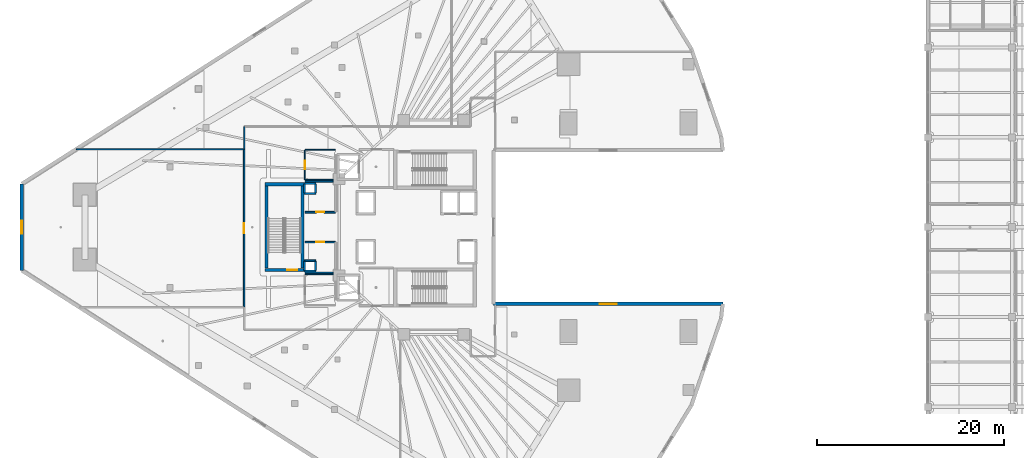
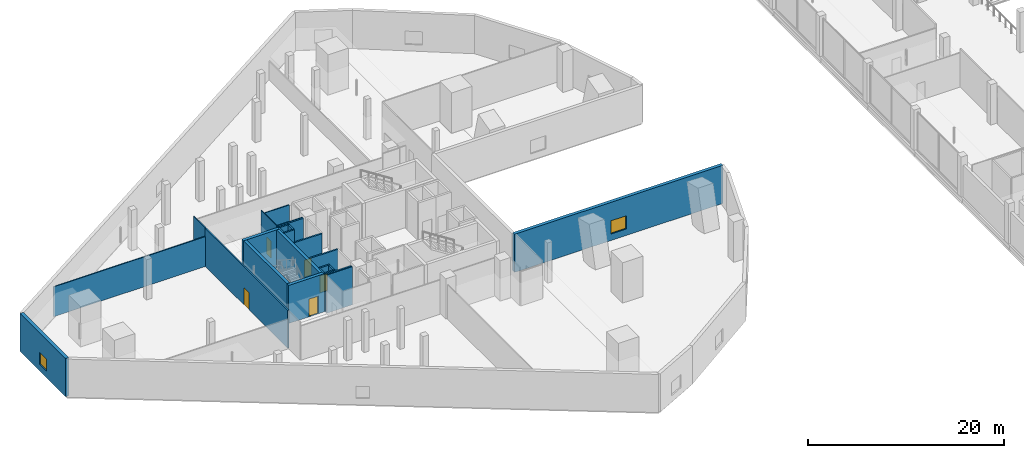
# One storey, part 27 of 47: 25 walls, 5 doors, 2 windows, 7 openings.
"""IFC4 building model written with IfcOpenShell, lengths in metres."""

import ifcopenshell
import ifcopenshell.guid

model = None  # the IFC model being written
_history = None  # IfcOwnerHistory: only IFC2X3 demands one
_inside = {}  # id of a spatial element -> (the spatial element, [elements in it])
_under = {}  # id of a project, library or spatial element -> (it, [spatial elements below it])
_declared = {}  # id of a project -> (the project, [libraries it declares])
_typed = {}  # id of a type object -> (the type object, [elements of that type])
_made_of = {}  # id of a material, layer set ... -> (it, [elements and type objects made of it])


def new_model(schema):
    """Start an empty IFC model of exactly this schema.

    Asked for "IFC4X3", IfcOpenShell would pick the latest addendum, in which some entities
    have other attributes; the version numbers below select the first issue.
    IFC2X3 requires an IfcOwnerHistory on every rooted entity: one is made here for all.
    """
    global model, _history
    if schema == "IFC4X3":
        model = ifcopenshell.file(schema_version=(4, 3, 0, 0))
    else:
        model = ifcopenshell.file(schema=schema)
    _inside.clear()
    _under.clear()
    _declared.clear()
    _typed.clear()
    _made_of.clear()
    _history = None
    if model.schema == "IFC2X3":
        org = make("IfcOrganization", Name="unknown")
        user = make(
            "IfcPersonAndOrganization",
            ThePerson=make("IfcPerson", FamilyName="unknown"),
            TheOrganization=org,
        )
        app = make(
            "IfcApplication",
            ApplicationDeveloper=org,
            Version="unknown",
            ApplicationFullName="unknown",
            ApplicationIdentifier="unknown",
        )
        _history = make(
            "IfcOwnerHistory",
            OwningUser=user,
            OwningApplication=app,
            ChangeAction="ADDED",
            CreationDate=0,
        )
    return model


def make(cls, **values):
    """One entity of the class cls with the attributes given. An attribute that is None is left unset."""
    return model.create_entity(
        cls, **{name: value for name, value in values.items() if value is not None}
    )


def rooted(cls, **values):
    """An entity with a GlobalId (a new one), such as an element, a storey or a relation."""
    return make(cls, GlobalId=ifcopenshell.guid.new(), OwnerHistory=_history, **values)


def si_unit(unit_type, name, prefix=None):
    """IfcSIUnit, for example si_unit("LENGTHUNIT", "METRE", prefix="MILLI")."""
    return make("IfcSIUnit", UnitType=unit_type, Prefix=prefix, Name=name)


def assignment(units):
    """IfcUnitAssignment: the units of a project."""
    return None if units is None else make("IfcUnitAssignment", Units=units)


def point(xyz):
    """IfcCartesianPoint."""
    return None if xyz is None else make("IfcCartesianPoint", Coordinates=xyz)


def direction(xyz):
    """IfcDirection."""
    return None if xyz is None else make("IfcDirection", DirectionRatios=xyz)


def frame(location, z_axis=None, x_axis=None):
    """IfcAxis2Placement3D, a coordinate frame: its origin and axes. An axis left out is left unset."""
    return make(
        "IfcAxis2Placement3D",
        Location=point(location),
        Axis=direction(z_axis),
        RefDirection=direction(x_axis),
    )


def frame_2d(location, x_axis=None):
    """IfcAxis2Placement2D, a coordinate frame in the plane: its origin and x axis."""
    return make(
        "IfcAxis2Placement2D", Location=point(location), RefDirection=direction(x_axis)
    )


def origin():
    """The frame at (0, 0, 0) with its axes left unset."""
    return frame((0.0, 0.0, 0.0))


def place(relative_to, where):
    """IfcLocalPlacement: puts the frame where relative to a parent placement (None: the world)."""
    return make(
        "IfcLocalPlacement", PlacementRelTo=relative_to, RelativePlacement=where
    )


def context(
    kind, dimensions, precision=None, world=None, true_north=None, identifier=None
):
    """IfcGeometricRepresentationContext, for example the 3D "Model" context."""
    return make(
        "IfcGeometricRepresentationContext",
        ContextIdentifier=identifier,
        ContextType=kind,
        CoordinateSpaceDimension=dimensions,
        Precision=precision,
        WorldCoordinateSystem=world,
        TrueNorth=true_north,
    )


def subcontext(parent, identifier, kind, view, scale=None):
    """IfcGeometricRepresentationSubContext, for example "Body" below "Model"."""
    return make(
        "IfcGeometricRepresentationSubContext",
        ContextIdentifier=identifier,
        ContextType=kind,
        ParentContext=parent,
        TargetScale=scale,
        TargetView=view,
    )


def project(units=None, contexts=None):
    """IfcProject with its units and contexts."""
    return rooted(
        "IfcProject",
        Name="project",
        RepresentationContexts=contexts,
        UnitsInContext=assignment(units),
    )


def spatial(cls, under=None, at=None, **own):
    """A site, building, storey or space (cls), placed at a placement, below another one or the project."""
    s = rooted(cls, ObjectPlacement=at, **own)
    if under is not None:
        _under.setdefault(under.id(), (under, []))[1].append(s)
    return s


def profile(cls, at=None, kind="AREA", **sizes):
    """A parametric profile (cls). Its sizes go by their IFC names, for example OverallWidth=200.0."""
    return make(cls, ProfileType=kind, Position=at, **sizes)


def rectangle(**sizes):
    """IfcRectangleProfileDef."""
    return profile("IfcRectangleProfileDef", **sizes)


def extrude(swept, where, along, depth):
    """IfcExtrudedAreaSolid: the profile swept, set in the frame where, extruded along a direction by depth."""
    return make(
        "IfcExtrudedAreaSolid",
        SweptArea=swept,
        Position=where,
        ExtrudedDirection=direction(along),
        Depth=depth,
    )


def shape(context_of_items, identifier, shape_type, items):
    """IfcShapeRepresentation: the items that make up one representation, for example the "Body"."""
    return make(
        "IfcShapeRepresentation",
        ContextOfItems=context_of_items,
        RepresentationIdentifier=identifier,
        RepresentationType=shape_type,
        Items=items,
    )


def material(Name=None, Category=None):
    """IfcMaterial."""
    return make("IfcMaterial", Name=Name, Category=Category)


def layer(
    of_material, thickness, ventilated=None, Name=None, Category=None, Priority=None
):
    """IfcMaterialLayer: one layer of a wall or slab, of a material (None: an air gap)."""
    return make(
        "IfcMaterialLayer",
        Material=of_material,
        LayerThickness=thickness,
        IsVentilated=ventilated,
        Name=Name,
        Category=Category,
        Priority=Priority,
    )


def layer_set(layers, Name=None):
    """IfcMaterialLayerSet."""
    return make("IfcMaterialLayerSet", MaterialLayers=layers, LayerSetName=Name)


def made_of(thing, what):
    """Note that an element or type object is made of a material, layer set ...; save() writes the relation."""
    if what is not None:
        _made_of.setdefault(what.id(), (what, []))[1].append(thing)
    return thing


def type_object(cls, material=None, **own):
    """A type object (cls), such as IfcWallType, which elements share."""
    return made_of(rooted(cls, **own), material)


def element(
    cls,
    number,
    at=None,
    inside=None,
    cuts=None,
    type_object=None,
    material=None,
    context=None,
    identifier="Body",
    shape_type=None,
    held_by="IfcProductDefinitionShape",
    body=None,
    shapes=None,
    **own,
):
    """One element of the class cls, such as IfcWall. Its Tag is "e" and its number.

    at: its placement. inside: the storey or other place that contains it. cuts: it is an
    opening in that element (IfcRelVoidsElement). A single representation is given by context,
    identifier, shape_type and body (its items); several are given by shapes. held_by: the class
    of the entity that holds the representations. save() writes the other relations.
    """
    e = rooted(cls, Tag="e%d" % number, ObjectPlacement=at, **own)
    if body is not None:
        shapes = [shape(context, identifier, shape_type, body)]
    if shapes is not None:
        e.Representation = make(held_by, Representations=shapes)
    if inside is not None:
        _inside.setdefault(inside.id(), (inside, []))[1].append(e)
    if cuts is not None:
        rooted(
            "IfcRelVoidsElement", RelatingBuildingElement=cuts, RelatedOpeningElement=e
        )
    if type_object is not None:
        _typed.setdefault(type_object.id(), (type_object, []))[1].append(e)
    return made_of(e, material)


def fill(opening, filler):
    """IfcRelFillsElement: the door or window that sits in an opening."""
    return rooted(
        "IfcRelFillsElement",
        RelatingOpeningElement=opening,
        RelatedBuildingElement=filler,
    )


def aggregate(whole, parts):
    """IfcRelAggregates: a whole, such as a stair, and the parts it consists of."""
    return rooted("IfcRelAggregates", RelatingObject=whole, RelatedObjects=parts)


def save(model, path):
    """Write the relations noted so far, then the file.

    IfcRelAggregates (storeys below a building ...), IfcRelContainedInSpatialStructure (elements
    in a storey), IfcRelDefinesByType, IfcRelAssociatesMaterial and IfcRelDeclares: one each for
    every whole, place, type object, material and project.
    """
    for whole, parts in _under.values():
        aggregate(whole, parts)
    for where, things in _inside.values():
        rooted(
            "IfcRelContainedInSpatialStructure",
            RelatedElements=things,
            RelatingStructure=where,
        )
    for kind, things in _typed.values():
        rooted("IfcRelDefinesByType", RelatedObjects=things, RelatingType=kind)
    for what, things in _made_of.values():
        rooted("IfcRelAssociatesMaterial", RelatedObjects=things, RelatingMaterial=what)
    for by, libraries in _declared.values():
        rooted("IfcRelDeclares", RelatingContext=by, RelatedDefinitions=libraries)
    model.write(path)


model = new_model("IFC4")

# Units and contexts
model_context = context("Model", 3, precision=1e-05, world=origin(), true_north=direction((0.0, 1.0)))
body_context = subcontext(model_context, "Body", "Model", "MODEL_VIEW")
ifc_project = project(units=[si_unit("LENGTHUNIT", "METRE"), si_unit("AREAUNIT", "SQUARE_METRE"), si_unit("VOLUMEUNIT", "CUBIC_METRE"), si_unit("PLANEANGLEUNIT", "RADIAN"), si_unit("MASSUNIT", "GRAM", prefix="KILO")], contexts=[model_context])

# Site, building, storey
site_placement = place(None, origin())
site = spatial("IfcSite", under=ifc_project, at=site_placement, CompositionType="ELEMENT")
building_placement = place(site_placement, origin())
building = spatial("IfcBuilding", under=site, at=building_placement, Name="Qorvath Tower", CompositionType="ELEMENT")
storey_placement = place(building_placement, frame((0.0, 0.0, 12.0)))
storey = spatial("IfcBuildingStorey", under=building, at=storey_placement, Name="L02", CompositionType="ELEMENT", Elevation=12.0)

# Walls
ifc_material_1 = material(Name="Gypsum shaftliner on steel studs", Category="steel")
ifc_layer_1 = layer(ifc_material_1, 0.179931640625)
ifc_layer_set_1 = layer_set([ifc_layer_1], Name="FW-LOBBY")
wall_type_1 = type_object("IfcWallType", Name="FW-LOBBY", PredefinedType="PARTITIONING", material=ifc_layer_set_1)
for number, where, z_axis, x_axis, name in (
    (1, (-32.989990234375, 3.594970703125, 0.0), (0.0, 0.0, 1.0), (-1.0, 0.0, 0.0), "MEP Riser Shaft Enclosure Wall N-L02-S"),
    (2, (-34.260009765625, 4.675048828125, 0.0), (0.0, 0.0, 1.0), (1.0, 0.0, 0.0), "MEP Riser Shaft Enclosure Wall N-L02-N"),
):
    element("IfcWall", number, at=place(storey_placement, frame(where, z_axis=z_axis, x_axis=x_axis)), inside=storey, type_object=wall_type_1, Name=name, PredefinedType="PARTITIONING", context=body_context, shape_type="SweptSolid", body=[
        extrude(rectangle(XDim=1.27001953125, YDim=0.179931640625, at=frame_2d((0.635009765625, 0.0))), origin(), (0.0, 0.0, 1.0), 4.739990234375),
    ])
for number, where, z_axis, x_axis, name in (
    (3, (-34.205078125, 3.659912109375, 0.0), (0.0, 0.0, 1.0), (0.0, 1.0, 0.0), "MEP Riser Shaft Enclosure Wall N-L02-W"),
    (4, (-33.044921875, 4.610107421875, 0.0), (0.0, 0.0, 1.0), (0.0, -1.0, 0.0), "MEP Riser Shaft Enclosure Wall N-L02-E"),
):
    element("IfcWall", number, at=place(storey_placement, frame(where, z_axis=z_axis, x_axis=x_axis)), inside=storey, type_object=wall_type_1, Name=name, PredefinedType="PARTITIONING", context=body_context, shape_type="SweptSolid", body=[
        extrude(rectangle(XDim=0.9501953125, YDim=0.179931640625, at=frame_2d((0.47509765625, 0.0))), origin(), (0.0, 0.0, 1.0), 4.739990234375),
    ])
for number, where, z_axis, x_axis, name in (
    (5, (-32.989990234375, -4.675048828125, 0.0), (0.0, 0.0, 1.0), (-1.0, 0.0, 0.0), "MEP Riser Shaft Enclosure Wall S-L02-S"),
    (6, (-34.260009765625, -3.594970703125, 0.0), (0.0, 0.0, 1.0), (1.0, 0.0, 0.0), "MEP Riser Shaft Enclosure Wall S-L02-N"),
):
    element("IfcWall", number, at=place(storey_placement, frame(where, z_axis=z_axis, x_axis=x_axis)), inside=storey, type_object=wall_type_1, Name=name, PredefinedType="PARTITIONING", context=body_context, shape_type="SweptSolid", body=[
        extrude(rectangle(XDim=1.27001953125, YDim=0.179931640625, at=frame_2d((0.635009765625, 0.0))), origin(), (0.0, 0.0, 1.0), 4.739990234375),
    ])
for number, where, z_axis, x_axis, name in (
    (7, (-34.205078125, -4.610107421875, 0.0), (0.0, 0.0, 1.0), (0.0, 1.0, 0.0), "MEP Riser Shaft Enclosure Wall S-L02-W"),
    (8, (-33.044921875, -3.659912109375, 0.0), (0.0, 0.0, 1.0), (0.0, -1.0, 0.0), "MEP Riser Shaft Enclosure Wall S-L02-E"),
):
    element("IfcWall", number, at=place(storey_placement, frame(where, z_axis=z_axis, x_axis=x_axis)), inside=storey, type_object=wall_type_1, Name=name, PredefinedType="PARTITIONING", context=body_context, shape_type="SweptSolid", body=[
        extrude(rectangle(XDim=0.9501953125, YDim=0.179931640625, at=frame_2d((0.47509765625, 0.0))), origin(), (0.0, 0.0, 1.0), 4.739990234375),
    ])

# Wall, opening, door
wall_1_placement = place(storey_placement, frame((-34.15478515625, 1.60009765625, 0.0), z_axis=(0.0, 0.0, 1.0), x_axis=(1.0, 0.0, 0.0)))
wall_1 = element("IfcWall", 9, at=wall_1_placement, inside=storey, type_object=wall_type_1, Name="Interior Partition IW-T1-L02-013", PredefinedType="PARTITIONING", context=body_context, shape_type="SweptSolid", body=[
    extrude(rectangle(XDim=3.25, YDim=0.179931640625, at=frame_2d((1.625, 0.0))), origin(), (0.0, 0.0, 1.0), 4.739990234375),
])
opening_1_placement = place(wall_1_placement, frame((1.18505859375, 0.0, 0.0)))
opening_1 = element("IfcOpeningElement", 10, at=opening_1_placement, cuts=wall_1, Name="Opening D-T1-L02-03", PredefinedType="OPENING", context=body_context, shape_type="SweptSolid", body=[
    extrude(rectangle(XDim=0.8798828125, YDim=2.10009765625, at=frame_2d((0.43994140625, 1.050048828125))), frame((0.0, 0.10009765625, 0.0), z_axis=(0.0, -1.0, 0.0), x_axis=(1.0, 0.0, 0.0)), (0.0, 0.0, 1.0), 0.199951171875),
])
ifc_material_2 = material(Name="Painted galvanised hollow metal", Category="steel")
door_type_1 = type_object("IfcDoorType", Name="FD-60N", OperationType="NOTDEFINED", PredefinedType="DOOR", material=ifc_material_2)
door_1_placement = place(opening_1_placement, origin())
door_1 = element("IfcDoor", 11, at=door_1_placement, inside=storey, type_object=door_type_1, Name="Core cleaner and custodial room L02 Door D-T1-L02-03", OperationType="SINGLE_SWING_LEFT", OverallHeight=2.10009765625, OverallWidth=0.8798828125, PredefinedType="DOOR", context=body_context, shape_type="SweptSolid", body=[
    extrude(rectangle(XDim=0.8798828125, YDim=2.10009765625, at=frame_2d((0.43994140625, 1.050048828125))), frame((0.0, 0.02490234375, 0.0), z_axis=(0.0, -1.0, 0.0), x_axis=(1.0, 0.0, 0.0)), (0.0, 0.0, 1.0), 0.050048828125),
])
fill(opening_1, door_1)

# Walls
for number, where, z_axis, x_axis, name in (
    (12, (-31.1650390625, 4.89990234375, 0.0), (0.0, 0.0, 1.0), (-1.0, 0.0, 0.0), "Interior Partition IW-T1-L02-015"),
    (13, (-34.15478515625, -4.89990234375, 0.0), (0.0, 0.0, 1.0), (1.0, 0.0, 0.0), "Interior Partition IW-T1-L02-016"),
):
    element("IfcWall", number, at=place(storey_placement, frame(where, z_axis=z_axis, x_axis=x_axis)), inside=storey, type_object=wall_type_1, Name=name, PredefinedType="PARTITIONING", context=body_context, shape_type="SweptSolid", body=[
        extrude(rectangle(XDim=2.98974609375, YDim=0.179931640625, at=frame_2d((1.494873046875, 0.0))), origin(), (0.0, 0.0, 1.0), 4.739990234375),
    ])

# Wall, opening, door
wall_2_placement = place(storey_placement, frame((-30.90478515625, -1.60009765625, 0.0), z_axis=(0.0, 0.0, 1.0), x_axis=(-1.0, 0.0, 0.0)))
wall_2 = element("IfcWall", 14, at=wall_2_placement, inside=storey, type_object=wall_type_1, Name="Interior Partition IW-T1-L02-018", PredefinedType="PARTITIONING", context=body_context, shape_type="SweptSolid", body=[
    extrude(rectangle(XDim=3.25, YDim=0.179931640625, at=frame_2d((1.625, 0.0))), origin(), (0.0, 0.0, 1.0), 4.739990234375),
])
opening_2_placement = place(wall_2_placement, frame((1.18505859375, 0.0, 0.0)))
opening_2 = element("IfcOpeningElement", 15, at=opening_2_placement, cuts=wall_2, Name="Opening D-T1-L02-04", PredefinedType="OPENING", context=body_context, shape_type="SweptSolid", body=[
    extrude(rectangle(XDim=0.8798828125, YDim=2.10009765625, at=frame_2d((0.43994140625, 1.050048828125))), frame((0.0, 0.10009765625, 0.0), z_axis=(0.0, -1.0, 0.0), x_axis=(1.0, 0.0, 0.0)), (0.0, 0.0, 1.0), 0.199951171875),
])
door_2_placement = place(opening_2_placement, origin())
door_2 = element("IfcDoor", 16, at=door_2_placement, inside=storey, type_object=door_type_1, Name="Core electrical room L02 Door D-T1-L02-04", OperationType="SINGLE_SWING_RIGHT", OverallHeight=2.10009765625, OverallWidth=0.8798828125, PredefinedType="DOOR", context=body_context, shape_type="SweptSolid", body=[
    extrude(rectangle(XDim=0.8798828125, YDim=2.10009765625, at=frame_2d((0.43994140625, 1.050048828125))), frame((0.0, 0.02490234375, 0.0), z_axis=(0.0, -1.0, 0.0), x_axis=(1.0, 0.0, 0.0)), (0.0, 0.0, 1.0), 0.050048828125),
])
fill(opening_2, door_2)

ifc_material_3 = material(Name="Double acoustic gypsum board on steel studs", Category="steel")
ifc_layer_2 = layer(ifc_material_3, 0.159912109375)
ifc_layer_set_2 = layer_set([ifc_layer_2], Name="IW-ACOUSTIC-160")
wall_type_2 = type_object("IfcWallType", Name="IW-ACOUSTIC-160", PredefinedType="PARTITIONING", material=ifc_layer_set_2)
wall_3_placement = place(storey_placement, frame((-40.657958984375, -8.51708984375, 0.0), z_axis=(0.0, 0.0, 1.0), x_axis=(0.0, 1.0, 0.0)))
wall_3 = element("IfcWall", 17, at=wall_3_placement, inside=storey, type_object=wall_type_2, Name="Interior Partition IW-T1-L02-036", PredefinedType="PARTITIONING", context=body_context, shape_type="SweptSolid", body=[
    extrude(rectangle(XDim=16.80419921875, YDim=0.159912109375, at=frame_2d((8.402099609375, 0.0))), origin(), (0.0, 0.0, 1.0), 4.739990234375),
])
opening_3_placement = place(wall_3_placement, frame((7.85205078125, 0.0, 0.0)))
opening_3 = element("IfcOpeningElement", 18, at=opening_3_placement, cuts=wall_3, Name="Opening D-T1-L02-10", PredefinedType="OPENING", context=body_context, shape_type="SweptSolid", body=[
    extrude(rectangle(XDim=1.10009765625, YDim=2.14990234375, at=frame_2d((0.550048828125, 1.074951171875))), frame((0.0, 0.08984375, 0.0), z_axis=(0.0, -1.0, 0.0), x_axis=(1.0, 0.0, 0.0)), (0.0, 0.0, 1.0), 0.179931640625),
])
ifc_material_4 = material(Name="Anodised aluminium acoustic framed glass", Category="aluminium")
door_type_2 = type_object("IfcDoorType", Name="D-03", OperationType="NOTDEFINED", PredefinedType="DOOR", material=ifc_material_4)
door_3_placement = place(opening_3_placement, origin())
door_3 = element("IfcDoor", 19, at=door_3_placement, inside=storey, type_object=door_type_2, Name="L02-06 Client Services Office Door D-T1-L02-10", OperationType="SINGLE_SWING_RIGHT", OverallHeight=2.14990234375, OverallWidth=1.10009765625, PredefinedType="DOOR", context=body_context, shape_type="SweptSolid", body=[
    extrude(rectangle(XDim=1.10009765625, YDim=2.14990234375, at=frame_2d((0.550048828125, 1.074951171875))), frame((0.0, 0.02490234375, 0.0), z_axis=(0.0, -1.0, 0.0), x_axis=(1.0, 0.0, 0.0)), (0.0, 0.0, 1.0), 0.050048828125),
])
fill(opening_3, door_3)

# Walls
ifc_material_5 = material(Name="Gypsum board on metal studs with mineral wool", Category="gypsum")
ifc_layer_3 = layer(ifc_material_5, 0.125)
ifc_layer_set_3 = layer_set([ifc_layer_3], Name="IW-PART-125")
wall_type_3 = type_object("IfcWallType", Name="IW-PART-125", PredefinedType="PARTITIONING", material=ifc_layer_set_3)
wall_4_placement = place(storey_placement, frame((-40.657958984375, 10.733154296875, 0.0), z_axis=(0.0, 0.0, 1.0), x_axis=(0.0, -1.0, 0.0)))
element("IfcWall", 20, at=wall_4_placement, inside=storey, type_object=wall_type_3, Name="Interior Partition IW-T1-L02-025", PredefinedType="PARTITIONING", context=body_context, shape_type="SweptSolid", body=[
    extrude(rectangle(XDim=2.387939453125, YDim=0.125, at=frame_2d((1.19384765625, 0.0))), origin(), (0.0, 0.0, 1.0), 4.739990234375),
])
wall_5_placement = place(storey_placement, frame((-58.576171875, 8.320068359375, 0.0), z_axis=(0.0, 0.0, 1.0), x_axis=(1.0, 0.0, 0.0)))
element("IfcWall", 21, at=wall_5_placement, inside=storey, type_object=wall_type_3, Name="Interior Partition IW-T1-L02-027", PredefinedType="PARTITIONING", context=body_context, shape_type="SweptSolid", body=[
    extrude(rectangle(XDim=17.89306640625, YDim=0.125, at=frame_2d((8.946533203125, 0.0))), origin(), (0.0, 0.0, 1.0), 3.7099609375),
])

# Wall, opening, door
ifc_material_6 = material(Name="Moisture-resistant cement board on metal studs", Category="gypsum")
ifc_layer_4 = layer(ifc_material_6, 0.110107421875)
ifc_layer_set_4 = layer_set([ifc_layer_4], Name="IW-WC-110")
wall_type_4 = type_object("IfcWallType", Name="IW-WC-110", PredefinedType="PARTITIONING", material=ifc_layer_set_4)
wall_6_placement = place(storey_placement, frame((-34.179931640625, 8.22509765625, 0.0), z_axis=(0.0, 0.0, 1.0), x_axis=(0.0, -1.0, 0.0)))
wall_6 = element("IfcWall", 22, at=wall_6_placement, inside=storey, type_object=wall_type_4, Name="Interior Partition IW-T1-L02-005", PredefinedType="PARTITIONING", context=body_context, shape_type="SweptSolid", body=[
    extrude(rectangle(XDim=3.150146484375, YDim=0.110107421875, at=frame_2d((1.5751953125, 0.0))), origin(), (0.0, 0.0, 1.0), 4.739990234375),
])
opening_4_placement = place(wall_6_placement, frame((1.135009765625, 0.0, 0.0)))
opening_4 = element("IfcOpeningElement", 23, at=opening_4_placement, cuts=wall_6, Name="Opening D-T1-L02-01", PredefinedType="OPENING", context=body_context, shape_type="SweptSolid", body=[
    extrude(rectangle(XDim=0.8798828125, YDim=2.10009765625, at=frame_2d((0.43994140625, 1.050048828125))), frame((0.0, 0.06494140625, 0.0), z_axis=(0.0, -1.0, 0.0), x_axis=(1.0, 0.0, 0.0)), (0.0, 0.0, 1.0), 0.130126953125),
])
ifc_material_7 = material(Name="Solid-core oak with acoustic drop seal", Category="wood")
door_type_3 = type_object("IfcDoorType", Name="D-02", OperationType="NOTDEFINED", PredefinedType="DOOR", material=ifc_material_7)
door_4_placement = place(opening_4_placement, origin())
door_4 = element("IfcDoor", 24, at=door_4_placement, inside=storey, type_object=door_type_3, Name="WC All-Gender North L02 Door D-T1-L02-01", OperationType="SINGLE_SWING_LEFT", OverallHeight=2.10009765625, OverallWidth=0.8798828125, PredefinedType="DOOR", context=body_context, shape_type="SweptSolid", body=[
    extrude(rectangle(XDim=0.8798828125, YDim=2.10009765625, at=frame_2d((0.43994140625, 1.050048828125))), frame((0.0, 0.02490234375, 0.0), z_axis=(0.0, -1.0, 0.0), x_axis=(1.0, 0.0, 0.0)), (0.0, 0.0, 1.0), 0.050048828125),
])
fill(opening_4, door_4)

# Walls
wall_7_placement = place(storey_placement, frame((-34.15478515625, 5.050048828125, 0.0), z_axis=(0.0, 0.0, 1.0), x_axis=(1.0, 0.0, 0.0)))
element("IfcWall", 25, at=wall_7_placement, inside=storey, type_object=wall_type_4, Name="Interior Partition IW-T1-L02-006", PredefinedType="PARTITIONING", context=body_context, shape_type="SweptSolid", body=[
    extrude(rectangle(XDim=2.98974609375, YDim=0.110107421875, at=frame_2d((1.494873046875, 0.0))), origin(), (0.0, 0.0, 1.0), 4.739990234375),
])
wall_8_placement = place(storey_placement, frame((-30.90478515625, 8.25, 0.0), z_axis=(0.0, 0.0, 1.0), x_axis=(-1.0, 0.0, 0.0)))
element("IfcWall", 26, at=wall_8_placement, inside=storey, type_object=wall_type_4, Name="Interior Partition IW-T1-L02-008", PredefinedType="PARTITIONING", context=body_context, shape_type="SweptSolid", body=[
    extrude(rectangle(XDim=3.25, YDim=0.110107421875, at=frame_2d((1.625, 0.0))), origin(), (0.0, 0.0, 1.0), 4.2529296875),
])
wall_9_placement = place(storey_placement, frame((-31.1650390625, -5.050048828125, 0.0), z_axis=(0.0, 0.0, 1.0), x_axis=(-1.0, 0.0, 0.0)))
element("IfcWall", 27, at=wall_9_placement, inside=storey, type_object=wall_type_4, Name="Interior Partition IW-T1-L02-011", PredefinedType="PARTITIONING", context=body_context, shape_type="SweptSolid", body=[
    extrude(rectangle(XDim=2.98974609375, YDim=0.110107421875, at=frame_2d((1.494873046875, 0.0))), origin(), (0.0, 0.0, 1.0), 4.739990234375),
])

# Wall, opening, door
ifc_material_8 = material(Name="Concrete C60/75", Category="concrete")
ifc_layer_5 = layer(ifc_material_8, 0.35009765625)
ifc_layer_set_5 = layer_set([ifc_layer_5], Name="SW-STAIR")
wall_type_5 = type_object("IfcWallType", Name="SW-STAIR", PredefinedType="SHEAR", material=ifc_layer_set_5)
wall_10_placement = place(storey_placement, frame((-38.4599609375, -4.574951171875, 0.0), z_axis=(0.0, 0.0, 1.0), x_axis=(1.0, 0.0, 0.0)))
wall_10 = element("IfcWall", 28, at=wall_10_placement, inside=storey, type_object=wall_type_5, Name="Stair TS3 Shear Wall L02 NEAR", PredefinedType="SHEAR", context=body_context, shape_type="SweptSolid", body=[
    extrude(rectangle(XDim=4.2099609375, YDim=0.35009765625, at=frame_2d((2.10498046875, 0.0))), origin(), (0.0, 0.0, 1.0), 4.739990234375),
])
opening_5_placement = place(wall_10_placement, frame((2.389892578125, 0.0, 0.0)))
opening_5 = element("IfcOpeningElement", 29, at=opening_5_placement, cuts=wall_10, Name="Opening D-TS3-L02", PredefinedType="OPENING", context=body_context, shape_type="SweptSolid", body=[
    extrude(rectangle(XDim=1.10009765625, YDim=2.199951171875, at=frame_2d((0.550048828125, 1.10009765625))), frame((0.0, 0.18505859375, 0.0), z_axis=(0.0, -1.0, 0.0), x_axis=(1.0, 0.0, 0.0)), (0.0, 0.0, 1.0), 0.3701171875),
])
ifc_material_9 = material(Name="Painted galvanised hollow metal", Category="steel")
door_type_4 = type_object("IfcDoorType", Name="FD-90", OperationType="NOTDEFINED", PredefinedType="DOOR", material=ifc_material_9)
door_5_placement = place(opening_5_placement, origin())
door_5 = element("IfcDoor", 30, at=door_5_placement, inside=storey, type_object=door_type_4, Name="Stair TS3 Fire Door L02", OperationType="SINGLE_SWING_LEFT", OverallHeight=2.199951171875, OverallWidth=1.10009765625, PredefinedType="DOOR", context=body_context, shape_type="SweptSolid", body=[
    extrude(rectangle(XDim=1.10009765625, YDim=2.199951171875, at=frame_2d((0.550048828125, 1.10009765625))), frame((0.0, 0.02490234375, 0.0), z_axis=(0.0, -1.0, 0.0), x_axis=(1.0, 0.0, 0.0)), (0.0, 0.0, 1.0), 0.050048828125),
])
fill(opening_5, door_5)

# Walls
wall_11_placement = place(storey_placement, frame((-34.25, 4.574951171875, 0.0), z_axis=(0.0, 0.0, 1.0), x_axis=(-1.0, 0.0, 0.0)))
element("IfcWall", 31, at=wall_11_placement, inside=storey, type_object=wall_type_5, Name="Stair TS3 Shear Wall L02 FAR", PredefinedType="SHEAR", context=body_context, shape_type="SweptSolid", body=[
    extrude(rectangle(XDim=4.2099609375, YDim=0.35009765625, at=frame_2d((2.10498046875, 0.0))), origin(), (0.0, 0.0, 1.0), 4.739990234375),
])
for number, where, z_axis, x_axis, name in (
    (32, (-34.425048828125, -4.385009765625, 0.0), (0.0, 0.0, 1.0), (0.0, 1.0, 0.0), "Stair TS3 Shear Wall L02 LEFT"),
    (33, (-38.284912109375, 4.385009765625, 0.0), (0.0, 0.0, 1.0), (0.0, -1.0, 0.0), "Stair TS3 Shear Wall L02 RIGHT"),
):
    element("IfcWall", number, at=place(storey_placement, frame(where, z_axis=z_axis, x_axis=x_axis)), inside=storey, type_object=wall_type_5, Name=name, PredefinedType="SHEAR", context=body_context, shape_type="SweptSolid", body=[
        extrude(rectangle(XDim=8.77001953125, YDim=0.35009765625, at=frame_2d((4.385009765625, 0.0))), origin(), (0.0, 0.0, 1.0), 4.739990234375),
    ])

# Wall, opening, window
ifc_material_10 = material(Name="Precast concrete C50/60", Category="concrete")
ifc_layer_6 = layer(ifc_material_10, 0.3798828125)
ifc_layer_set_6 = layer_set([ifc_layer_6], Name="WL-EW-POD-380")
wall_type_6 = type_object("IfcWallType", Name="WL-EW-POD-380", PredefinedType="SOLIDWALL", material=ifc_layer_set_6)
wall_12_placement = place(storey_placement, frame((10.483154296875, -8.199951171875, 0.0), z_axis=(0.0, 0.0, 1.0), x_axis=(-1.0, 0.0, 0.0)))
wall_12 = element("IfcWall", 34, at=wall_12_placement, inside=storey, type_object=wall_type_6, Name="Tower Podium Precast Facade Wall L02-1.1", PredefinedType="SOLIDWALL", context=body_context, shape_type="SweptSolid", body=[
    extrude(rectangle(XDim=24.483154296875, YDim=0.3798828125, at=frame_2d((12.24169921875, 0.0))), origin(), (0.0, 0.0, 1.0), 4.739990234375),
])
opening_6_placement = place(wall_12_placement, frame((11.341552734375, 0.0, 0.800048828125)))
opening_6 = element("IfcOpeningElement", 35, at=opening_6_placement, cuts=wall_12, Name="Opening WN-L02-015", PredefinedType="OPENING", context=body_context, shape_type="SweptSolid", body=[
    extrude(rectangle(XDim=1.800048828125, YDim=1.64990234375, at=frame_2d((0.89990234375, 0.824951171875))), frame((0.0, 0.199951171875, 0.0), z_axis=(0.0, -1.0, 0.0), x_axis=(1.0, 0.0, 0.0)), (0.0, 0.0, 1.0), 0.39990234375),
])
ifc_material_11 = material(Name="Thermally broken aluminium and triple low-E glass", Category="aluminium")
window_type_1 = type_object("IfcWindowType", Name="WN-1", PartitioningType="SINGLE_PANEL", PredefinedType="WINDOW", material=ifc_material_11)
window_1_placement = place(opening_6_placement, origin())
window_1 = element("IfcWindow", 36, at=window_1_placement, inside=storey, type_object=window_type_1, Name="Podium Punched Window L02-015", OverallHeight=1.64990234375, OverallWidth=1.800048828125, PartitioningType="SINGLE_PANEL", PredefinedType="WINDOW", context=body_context, shape_type="SweptSolid", body=[
    extrude(rectangle(XDim=1.800048828125, YDim=1.64990234375, at=frame_2d((0.89990234375, 0.824951171875))), frame((0.0, 0.030029296875, 0.0), z_axis=(0.0, -1.0, 0.0), x_axis=(1.0, 0.0, 0.0)), (0.0, 0.0, 1.0), 0.06005859375),
])
fill(opening_6, window_1)

wall_13_placement = place(storey_placement, frame((-64.419189453125, -4.63671875, 0.0), z_axis=(0.0, 0.0, 1.0), x_axis=(0.0, 1.0, 0.0)))
wall_13 = element("IfcWall", 37, at=wall_13_placement, inside=storey, type_object=wall_type_6, Name="Tower Podium Precast Facade Wall L02-10.1", PredefinedType="SOLIDWALL", context=body_context, shape_type="SweptSolid", body=[
    extrude(rectangle(XDim=9.2734375, YDim=0.3798828125, at=frame_2d((4.63671875, 0.0))), origin(), (0.0, 0.0, 1.0), 4.739990234375),
])
opening_7_placement = place(wall_13_placement, frame((3.936767578125, 0.0, 0.800048828125)))
opening_7 = element("IfcOpeningElement", 38, at=opening_7_placement, cuts=wall_13, Name="Opening WN-L02-023", PredefinedType="OPENING", context=body_context, shape_type="SweptSolid", body=[
    extrude(rectangle(XDim=1.39990234375, YDim=1.5, at=frame_2d((0.699951171875, 0.75))), frame((0.0, 0.199951171875, 0.0), z_axis=(0.0, -1.0, 0.0), x_axis=(1.0, 0.0, 0.0)), (0.0, 0.0, 1.0), 0.39990234375),
])
ifc_material_12 = material(Name="Thermally broken aluminium and triple low-E glass", Category="aluminium")
window_type_2 = type_object("IfcWindowType", Name="WN-3", PartitioningType="SINGLE_PANEL", PredefinedType="WINDOW", material=ifc_material_12)
window_2_placement = place(opening_7_placement, origin())
window_2 = element("IfcWindow", 39, at=window_2_placement, inside=storey, type_object=window_type_2, Name="Podium Punched Window L02-023", OverallHeight=1.5, OverallWidth=1.39990234375, PartitioningType="SINGLE_PANEL", PredefinedType="WINDOW", context=body_context, shape_type="SweptSolid", body=[
    extrude(rectangle(XDim=1.39990234375, YDim=1.5, at=frame_2d((0.699951171875, 0.75))), frame((0.0, 0.030029296875, 0.0), z_axis=(0.0, -1.0, 0.0), x_axis=(1.0, 0.0, 0.0)), (0.0, 0.0, 1.0), 0.06005859375),
])
fill(opening_7, window_2)

save(model, "model.ifc")
